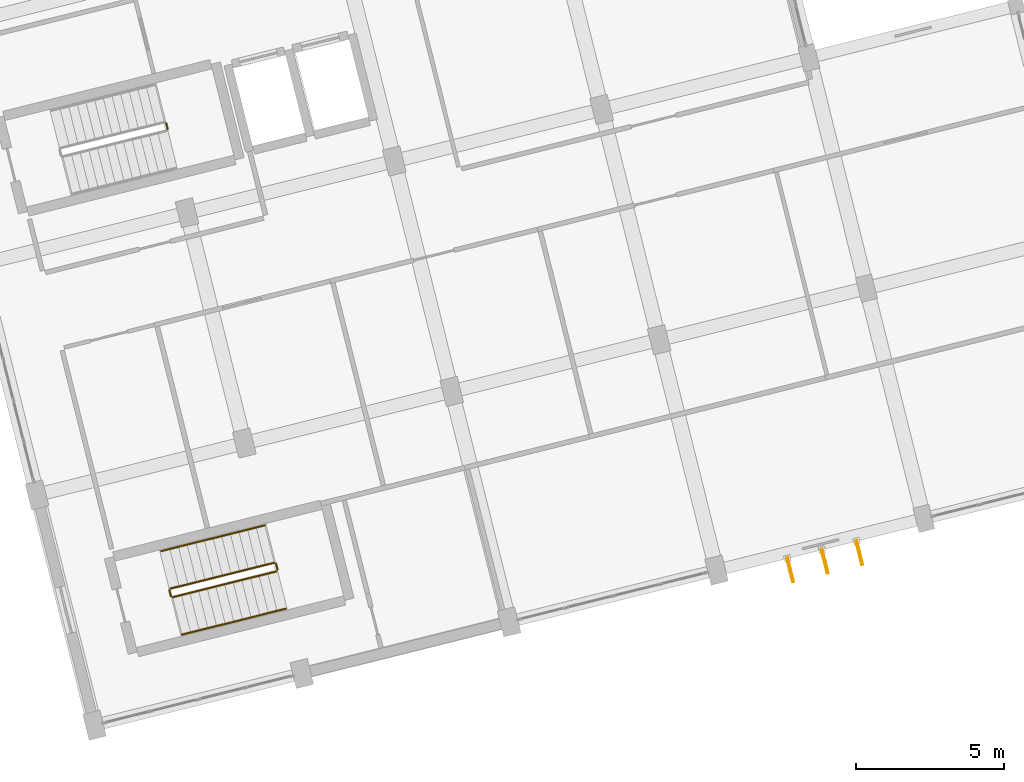
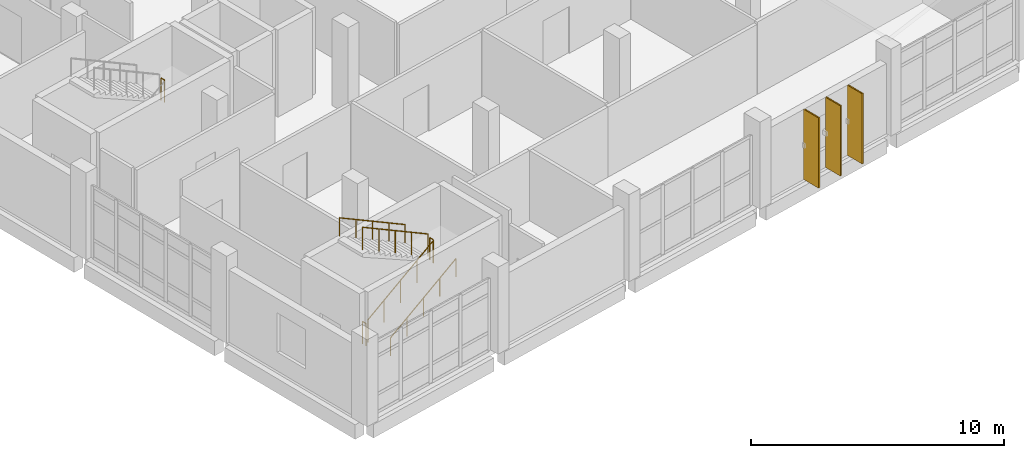
# One storey, part 163 of 164: 7 railings, 3 shading devices.
"""IFC4 building model written with IfcOpenShell, lengths in metres."""

from ifc_helpers import new_model, si_unit, direction, frame, origin, origin_2d, place, context, subcontext, project, spatial, hollow_rectangle, circle, extrude, material, material_profile, profile_set, type_object, element, save


model = new_model("IFC4")

# Units and contexts
model_context = context("Model", 3, precision=1e-05, world=origin(), true_north=direction((0.0, 1.0)))
body_context = subcontext(model_context, "Body", "Model", "MODEL_VIEW")
ifc_project = project(units=[si_unit("LENGTHUNIT", "METRE"), si_unit("AREAUNIT", "SQUARE_METRE"), si_unit("VOLUMEUNIT", "CUBIC_METRE"), si_unit("PLANEANGLEUNIT", "RADIAN"), si_unit("MASSUNIT", "GRAM", prefix="KILO")], contexts=[model_context])

# Site, building, storey
site_placement = place(None, origin())
site = spatial("IfcSite", under=ifc_project, at=site_placement, CompositionType="ELEMENT")
building_placement = place(site_placement, origin())
building = spatial("IfcBuilding", under=site, at=building_placement, Name="Mawjan Specialist Oncology Clinic", CompositionType="ELEMENT")
storey_placement = place(building_placement, frame((0.0, 0.0, 5.0)))
storey = spatial("IfcBuildingStorey", under=building, at=storey_placement, Name="L01", CompositionType="ELEMENT", Elevation=5.0)

# Railings
ifc_material_1 = material(Name="Powder-coated steel stair guard with vertical infill pickets", Category="steel")
railing_type_1 = type_object("IfcRailingType", Name="GR-110", PredefinedType="GUARDRAIL", material=ifc_material_1)
railing_1_placement = place(storey_placement, frame((128.46240234375, 20.892578125, 2.25)))
element("IfcRailing", 1, at=railing_1_placement, inside=storey, type_object=railing_type_1, Name="L01 ST-05 stair guard 2", PredefinedType="GUARDRAIL", context=body_context, shape_type="SweptSolid", body=[
    extrude(circle(Radius=0.02392578125, at=origin_2d()), frame((0.0, 0.0, 1.076171875), z_axis=(-0.242822723755, 0.970070680326, 0.0), x_axis=(-0.970070680326, -0.242822723755, 0.0)), (0.0, 0.0, 1.0), 0.2001953125),
    extrude(circle(Radius=0.02099609375, at=origin_2d()), origin(), (0.0, 0.0, 1.0), 1.052001953125),
    extrude(circle(Radius=0.02099609375, at=origin_2d()), frame((-0.048583984375, 0.194091796875, 0.0)), (0.0, 0.0, 1.0), 1.052001953125),
])
railing_2_placement = place(storey_placement, frame((128.63427734375, 5.115478515625, 0.173095703125)))
element("IfcRailing", 2, at=railing_2_placement, inside=storey, type_object=railing_type_1, Name="L01 ST-06 stair guard 1", PredefinedType="GUARDRAIL", context=body_context, shape_type="SweptSolid", body=[
    extrude(circle(Radius=0.02392578125, at=origin_2d()), frame((0.0, 0.0, 1.076171875), z_axis=(0.840450780184, 0.209539940792, 0.499735429302), x_axis=(-0.241913228726, 0.970297887129, 0.0)), (0.0, 0.0, 1.0), 4.156005859375),
    extrude(circle(Radius=0.02099609375, at=origin_2d()), origin(), (0.0, 0.0, 1.0), 1.052001953125),
    extrude(circle(Radius=0.02099609375, at=origin_2d()), frame((0.873291015625, 0.2177734375, 0.519287109375)), (0.0, 0.0, 1.0), 1.052001953125),
    extrude(circle(Radius=0.02099609375, at=origin_2d()), frame((1.74658203125, 0.435546875, 1.03857421875)), (0.0, 0.0, 1.0), 1.052001953125),
    extrude(circle(Radius=0.02099609375, at=origin_2d()), frame((2.61962890625, 0.653076171875, 1.5576171875)), (0.0, 0.0, 1.0), 1.052001953125),
    extrude(circle(Radius=0.02099609375, at=origin_2d()), frame((3.492919921875, 0.870849609375, 2.076904296875)), (0.0, 0.0, 1.0), 1.052001953125),
])
railing_3_placement = place(storey_placement, frame((132.163818359375, 6.047119140625, 2.25)))
element("IfcRailing", 3, at=railing_3_placement, inside=storey, type_object=railing_type_1, Name="L01 ST-06 stair guard 2", PredefinedType="GUARDRAIL", context=body_context, shape_type="SweptSolid", body=[
    extrude(circle(Radius=0.02392578125, at=origin_2d()), frame((0.0, 0.0, 1.076171875), z_axis=(-0.24311048161, 0.969998605015, 0.0), x_axis=(-0.969998605015, -0.24311048161, 0.0)), (0.0, 0.0, 1.0), 0.199951171875),
    extrude(circle(Radius=0.02099609375, at=origin_2d()), origin(), (0.0, 0.0, 1.0), 1.052001953125),
    extrude(circle(Radius=0.02099609375, at=origin_2d()), frame((-0.048583984375, 0.19384765625, 0.0)), (0.0, 0.0, 1.0), 1.052001953125),
])
railing_4_placement = place(storey_placement, frame((132.0546875, 6.277587890625, 2.423095703125)))
element("IfcRailing", 4, at=railing_4_placement, inside=storey, type_object=railing_type_1, Name="L01 ST-06 stair guard 3", PredefinedType="GUARDRAIL", context=body_context, shape_type="SweptSolid", body=[
    extrude(circle(Radius=0.02392578125, at=origin_2d()), frame((0.0, 0.0, 1.076171875), z_axis=(-0.840440433632, -0.209596104508, 0.499729277201), x_axis=(0.241977078005, -0.97028196609, 0.0)), (0.0, 0.0, 1.0), 4.156005859375),
    extrude(circle(Radius=0.02099609375, at=origin_2d()), origin(), (0.0, 0.0, 1.0), 1.052001953125),
    extrude(circle(Radius=0.02099609375, at=origin_2d()), frame((-0.873291015625, -0.2177734375, 0.519287109375)), (0.0, 0.0, 1.0), 1.052001953125),
    extrude(circle(Radius=0.02099609375, at=origin_2d()), frame((-1.74658203125, -0.435546875, 1.03857421875)), (0.0, 0.0, 1.0), 1.052001953125),
    extrude(circle(Radius=0.02099609375, at=origin_2d()), frame((-2.61962890625, -0.6533203125, 1.5576171875)), (0.0, 0.0, 1.0), 1.052001953125),
    extrude(circle(Radius=0.02099609375, at=origin_2d()), frame((-3.492919921875, -0.87109375, 2.076904296875)), (0.0, 0.0, 1.0), 1.052001953125),
])
railing_5_placement = place(storey_placement, frame((128.57373046875, 5.15185546875, 0.0)))
element("IfcRailing", 5, at=railing_5_placement, inside=storey, type_object=railing_type_1, Name="L01 ST-06 stair guard 4", PredefinedType="GUARDRAIL", context=body_context, shape_type="SweptSolid", body=[
    extrude(circle(Radius=0.02392578125, at=origin_2d()), frame((0.0, 0.0, 1.076171875), z_axis=(-0.242822723755, 0.970070680326, 0.0), x_axis=(-0.970070680326, -0.242822723755, 0.0)), (0.0, 0.0, 1.0), 0.2001953125),
    extrude(circle(Radius=0.02099609375, at=origin_2d()), origin(), (0.0, 0.0, 1.0), 1.052001953125),
    extrude(circle(Radius=0.02099609375, at=origin_2d()), frame((-0.048583984375, 0.194091796875, 0.0)), (0.0, 0.0, 1.0), 1.052001953125),
])
ifc_material_2 = material(Name="Brushed stainless-steel tubular handrail", Category="steel")
railing_type_2 = type_object("IfcRailingType", Name="HR-090", PredefinedType="HANDRAIL", material=ifc_material_2)
railing_6_placement = place(storey_placement, frame((128.94873046875, 3.85400390625, 0.173095703125)))
element("IfcRailing", 6, at=railing_6_placement, inside=storey, type_object=railing_type_2, Name="L01 ST-06 stair handrail 1", PredefinedType="HANDRAIL", context=body_context, shape_type="SweptSolid", body=[
    extrude(circle(Radius=0.02392578125, at=origin_2d()), frame((0.0, 0.0, 0.8759765625), z_axis=(0.840457682906, 0.209585757101, 0.499704606408), x_axis=(-0.241961156142, 0.97028593668, 0.0)), (0.0, 0.0, 1.0), 4.15625),
    extrude(circle(Radius=0.02099609375, at=origin_2d()), origin(), (0.0, 0.0, 1.0), 0.851806640625),
    extrude(circle(Radius=0.02099609375, at=origin_2d()), frame((0.873291015625, 0.2177734375, 0.519287109375)), (0.0, 0.0, 1.0), 0.851806640625),
    extrude(circle(Radius=0.02099609375, at=origin_2d()), frame((1.74658203125, 0.435546875, 1.03857421875)), (0.0, 0.0, 1.0), 0.851806640625),
    extrude(circle(Radius=0.02099609375, at=origin_2d()), frame((2.619873046875, 0.6533203125, 1.5576171875)), (0.0, 0.0, 1.0), 0.851806640625),
    extrude(circle(Radius=0.02099609375, at=origin_2d()), frame((3.4931640625, 0.87109375, 2.076904296875)), (0.0, 0.0, 1.0), 0.851806640625),
])
railing_7_placement = place(storey_placement, frame((131.740234375, 7.538818359375, 2.423095703125)))
element("IfcRailing", 7, at=railing_7_placement, inside=storey, type_object=railing_type_2, Name="L01 ST-06 stair handrail 2", PredefinedType="HANDRAIL", context=body_context, shape_type="SweptSolid", body=[
    extrude(circle(Radius=0.02392578125, at=origin_2d()), frame((0.0, 0.0, 0.8759765625), z_axis=(-0.840468028649, -0.209529595904, 0.499710757598), x_axis=(0.241897310542, -0.970301855688, 0.0)), (0.0, 0.0, 1.0), 4.15625),
    extrude(circle(Radius=0.02099609375, at=origin_2d()), origin(), (0.0, 0.0, 1.0), 0.851806640625),
    extrude(circle(Radius=0.02099609375, at=origin_2d()), frame((-0.873291015625, -0.2177734375, 0.519287109375)), (0.0, 0.0, 1.0), 0.851806640625),
    extrude(circle(Radius=0.02099609375, at=origin_2d()), frame((-1.74658203125, -0.435546875, 1.03857421875)), (0.0, 0.0, 1.0), 0.851806640625),
    extrude(circle(Radius=0.02099609375, at=origin_2d()), frame((-2.619873046875, -0.653076171875, 1.5576171875)), (0.0, 0.0, 1.0), 0.851806640625),
    extrude(circle(Radius=0.02099609375, at=origin_2d()), frame((-3.4931640625, -0.870849609375, 2.076904296875)), (0.0, 0.0, 1.0), 0.851806640625),
])

# Shading devices
ifc_material_3 = material(Name="Bronze-anodised aluminium 6063-T6", Category="aluminium")
ifc_material_profile = material_profile(ifc_material_3, hollow_rectangle(XDim=0.070068359375, YDim=0.85009765625, WallThickness=0.0048828125, at=origin_2d()), Name="FIN 850x70x5", Category="aluminium")
ifc_profile_set = profile_set([ifc_material_profile], Name="Bronze-anodised aluminium 6063-T6")
shading_device_type = type_object("IfcShadingDeviceType", Name="SF-850", PredefinedType="USERDEFINED", material=ifc_profile_set)
for number, where, z_axis, x_axis, name in (
    (8, (151.770751953125, 6.6171875, 0.0), (0.0, 0.0, 1.0), (-0.970295726276, -0.2419218956, 0.0), "L01 Vertical Solar Fin SF-0001"),
    (9, (150.606201171875, 6.326904296875, 0.0), (0.0, 0.0, 1.0), (-0.970295726276, -0.2419218956, 0.0), "L01 Vertical Solar Fin SF-0002"),
    (10, (149.44189453125, 6.03662109375, 0.0), (0.0, 0.0, 1.0), (-0.970295726276, -0.2419218956, 0.0), "L01 Vertical Solar Fin SF-0003"),
):
    element("IfcShadingDevice", number, at=place(storey_placement, frame(where, z_axis=z_axis, x_axis=x_axis)), inside=storey, type_object=shading_device_type, Name=name, ObjectType="SOLAR FIN", PredefinedType="USERDEFINED", context=body_context, shape_type="SweptSolid", body=[
        extrude(hollow_rectangle(XDim=0.070068359375, YDim=0.85009765625, WallThickness=0.0048828125, at=origin_2d()), origin(), (0.0, 0.0, 1.0), 3.385009765625),
    ])

save(model, "model.ifc")
